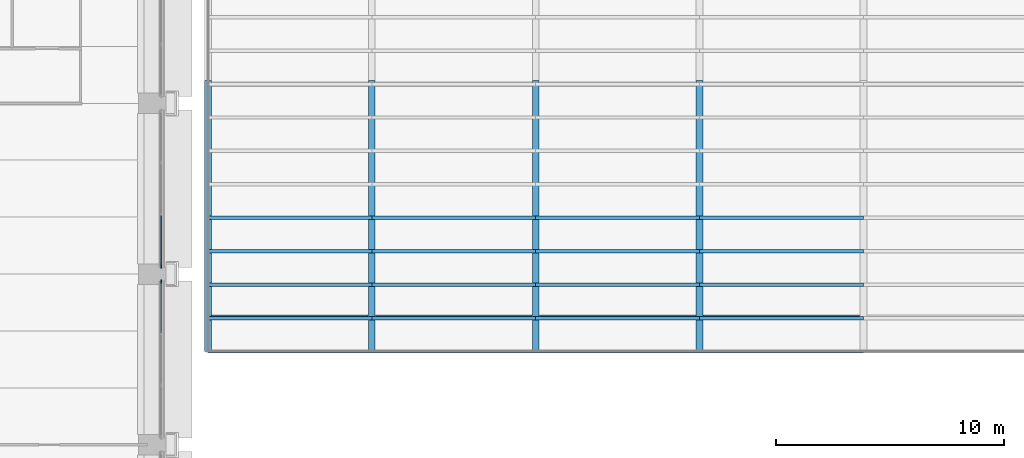
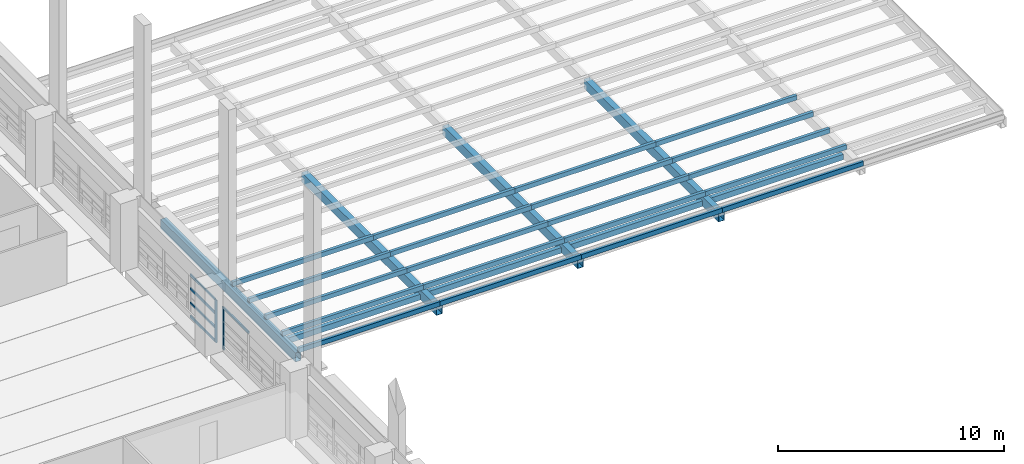
# One storey, part 10 of 67: 27 members, 8 beams, 2 elements without a shape of their own.
"""IFC4 building model written with IfcOpenShell, lengths in metres."""

from ifc_helpers import new_model, si_unit, direction, frame, origin, origin_2d, place, context, subcontext, project, spatial, rectangle, hollow_rectangle, extrude, material, layer, layer_set, material_profile, profile_set, type_object, element, aggregate, save


model = new_model("IFC4")

# Units and contexts
model_context = context("Model", 3, precision=1e-05, world=origin(), true_north=direction((0.0, 1.0)))
body_context = subcontext(model_context, "Body", "Model", "MODEL_VIEW")
ifc_project = project(units=[si_unit("LENGTHUNIT", "METRE"), si_unit("AREAUNIT", "SQUARE_METRE"), si_unit("VOLUMEUNIT", "CUBIC_METRE"), si_unit("PLANEANGLEUNIT", "RADIAN"), si_unit("MASSUNIT", "GRAM", prefix="KILO")], contexts=[model_context])

# Site, building, storey
site_placement = place(None, origin())
site = spatial("IfcSite", under=ifc_project, at=site_placement, CompositionType="ELEMENT")
building_placement = place(site_placement, origin())
building = spatial("IfcBuilding", under=site, at=building_placement, Name="Cour d'Honneur Mobility Palace", CompositionType="ELEMENT")
storey_placement = place(building_placement, frame((0.0, 0.0, 4.5)))
storey = spatial("IfcBuildingStorey", under=building, at=storey_placement, Name="L01", CompositionType="ELEMENT", Elevation=4.5)

# Beams
ifc_material_1 = material(Name="Steel S355", Category="steel")
ifc_material_profile_1 = material_profile(ifc_material_1, hollow_rectangle(XDim=0.300048828125, YDim=0.5, WallThickness=0.01611328125, at=origin_2d()), Name="RHS 500x300x16")
ifc_profile_set_1 = profile_set([ifc_material_profile_1], Name="Steel S355")
beam_type_1 = type_object("IfcBeamType", Name="Canopy main beam RHS 500x300x16", PredefinedType="BEAM", material=ifc_profile_set_1)
for number, where, z_axis, x_axis, name in (
    (1, (20.0, 89.0, 0.75), (0.0, 1.0, 0.0), (-1.0, 0.0, 0.0), "Canopy main beam FCM-W1.1"),
    (2, (27.199951171875, 89.0, 0.75), (0.0, 1.0, 0.0), (-1.0, 0.0, 0.0), "Canopy main beam FCM-W2.1"),
    (3, (34.39990234375, 89.0, 0.75), (0.0, 1.0, 0.0), (-1.0, 0.0, 0.0), "Canopy main beam FCM-W3.1"),
    (4, (41.60009765625, 89.0, 0.75), (0.0, 1.0, 0.0), (-1.0, 0.0, 0.0), "Canopy main beam FCM-W4.1"),
):
    element("IfcBeam", number, at=place(storey_placement, frame(where, z_axis=z_axis, x_axis=x_axis)), inside=storey, type_object=beam_type_1, Name=name, PredefinedType="BEAM", context=body_context, shape_type="SweptSolid", body=[
        extrude(hollow_rectangle(XDim=0.300048828125, YDim=0.5, WallThickness=0.01611328125, at=origin_2d()), origin(), (0.0, 0.0, 1.0), 11.911865234375),
    ])

# Members
ifc_material_2 = material(Name="Steel S355", Category="steel")
ifc_material_profile_2 = material_profile(ifc_material_2, hollow_rectangle(XDim=0.14990234375, YDim=0.25, WallThickness=0.010009765625, at=origin_2d()), Name="RHS 250x150x10")
ifc_profile_set_2 = profile_set([ifc_material_profile_2], Name="Steel S355")
member_type_1 = type_object("IfcMemberType", Name="Canopy purlin RHS 250x150x10", PredefinedType="PURLIN", material=ifc_profile_set_2)
for number, where, z_axis, x_axis, name in (
    (5, (20.0, 89.0, 1.125), (1.0, 0.0, 0.0), (0.0, 1.0, 0.0), "Canopy purlin FCP-W1.1"),
    (6, (27.199951171875, 89.0, 1.125), (1.0, 0.0, 0.0), (0.0, 1.0, 0.0), "Canopy purlin FCP-W1.2"),
):
    element("IfcMember", number, at=place(storey_placement, frame(where, z_axis=z_axis, x_axis=x_axis)), inside=storey, type_object=member_type_1, Name=name, PredefinedType="PURLIN", context=body_context, shape_type="SweptSolid", body=[
        extrude(hollow_rectangle(XDim=0.14990234375, YDim=0.25, WallThickness=0.010009765625, at=origin_2d()), origin(), (0.0, 0.0, 1.0), 7.199951171875),
    ])
member_1_placement = place(storey_placement, frame((34.39990234375, 89.0, 1.125), z_axis=(1.0, 0.0, 0.0), x_axis=(0.0, 1.0, 0.0)))
element("IfcMember", 7, at=member_1_placement, inside=storey, type_object=member_type_1, Name="Canopy purlin FCP-W1.3", PredefinedType="PURLIN", context=body_context, shape_type="SweptSolid", body=[
    extrude(hollow_rectangle(XDim=0.14990234375, YDim=0.25, WallThickness=0.010009765625, at=origin_2d()), origin(), (0.0, 0.0, 1.0), 7.2001953125),
])
for number, where, z_axis, x_axis, name in (
    (8, (41.60009765625, 89.0, 1.125), (1.0, 0.0, 0.0), (0.0, 1.0, 0.0), "Canopy purlin FCP-W1.4"),
    (9, (20.0, 90.46875, 1.125), (1.0, 0.0, 0.0), (0.0, 1.0, 0.0), "Canopy purlin FCP-W2.1"),
    (10, (27.199951171875, 90.46875, 1.125), (1.0, 0.0, 0.0), (0.0, 1.0, 0.0), "Canopy purlin FCP-W2.2"),
):
    element("IfcMember", number, at=place(storey_placement, frame(where, z_axis=z_axis, x_axis=x_axis)), inside=storey, type_object=member_type_1, Name=name, PredefinedType="PURLIN", context=body_context, shape_type="SweptSolid", body=[
        extrude(hollow_rectangle(XDim=0.14990234375, YDim=0.25, WallThickness=0.010009765625, at=origin_2d()), origin(), (0.0, 0.0, 1.0), 7.199951171875),
    ])
member_2_placement = place(storey_placement, frame((34.39990234375, 90.46875, 1.125), z_axis=(1.0, 0.0, 0.0), x_axis=(0.0, 1.0, 0.0)))
element("IfcMember", 11, at=member_2_placement, inside=storey, type_object=member_type_1, Name="Canopy purlin FCP-W2.3", PredefinedType="PURLIN", context=body_context, shape_type="SweptSolid", body=[
    extrude(hollow_rectangle(XDim=0.14990234375, YDim=0.25, WallThickness=0.010009765625, at=origin_2d()), origin(), (0.0, 0.0, 1.0), 7.2001953125),
])
for number, where, z_axis, x_axis, name in (
    (12, (41.60009765625, 90.46875, 1.125), (1.0, 0.0, 0.0), (0.0, 1.0, 0.0), "Canopy purlin FCP-W2.4"),
    (13, (20.0, 91.9375, 1.125), (1.0, 0.0, 0.0), (0.0, 1.0, 0.0), "Canopy purlin FCP-W3.1"),
    (14, (27.199951171875, 91.9375, 1.125), (1.0, 0.0, 0.0), (0.0, 1.0, 0.0), "Canopy purlin FCP-W3.2"),
):
    element("IfcMember", number, at=place(storey_placement, frame(where, z_axis=z_axis, x_axis=x_axis)), inside=storey, type_object=member_type_1, Name=name, PredefinedType="PURLIN", context=body_context, shape_type="SweptSolid", body=[
        extrude(hollow_rectangle(XDim=0.14990234375, YDim=0.25, WallThickness=0.010009765625, at=origin_2d()), origin(), (0.0, 0.0, 1.0), 7.199951171875),
    ])
member_3_placement = place(storey_placement, frame((34.39990234375, 91.9375, 1.125), z_axis=(1.0, 0.0, 0.0), x_axis=(0.0, 1.0, 0.0)))
element("IfcMember", 15, at=member_3_placement, inside=storey, type_object=member_type_1, Name="Canopy purlin FCP-W3.3", PredefinedType="PURLIN", context=body_context, shape_type="SweptSolid", body=[
    extrude(hollow_rectangle(XDim=0.14990234375, YDim=0.25, WallThickness=0.010009765625, at=origin_2d()), origin(), (0.0, 0.0, 1.0), 7.2001953125),
])
for number, where, z_axis, x_axis, name in (
    (16, (41.60009765625, 91.9375, 1.125), (1.0, 0.0, 0.0), (0.0, 1.0, 0.0), "Canopy purlin FCP-W3.4"),
    (17, (20.0, 93.40625, 1.125), (1.0, 0.0, 0.0), (0.0, 1.0, 0.0), "Canopy purlin FCP-W4.1"),
    (18, (27.199951171875, 93.40625, 1.125), (1.0, 0.0, 0.0), (0.0, 1.0, 0.0), "Canopy purlin FCP-W4.2"),
):
    element("IfcMember", number, at=place(storey_placement, frame(where, z_axis=z_axis, x_axis=x_axis)), inside=storey, type_object=member_type_1, Name=name, PredefinedType="PURLIN", context=body_context, shape_type="SweptSolid", body=[
        extrude(hollow_rectangle(XDim=0.14990234375, YDim=0.25, WallThickness=0.010009765625, at=origin_2d()), origin(), (0.0, 0.0, 1.0), 7.199951171875),
    ])
member_4_placement = place(storey_placement, frame((34.39990234375, 93.40625, 1.125), z_axis=(1.0, 0.0, 0.0), x_axis=(0.0, 1.0, 0.0)))
element("IfcMember", 19, at=member_4_placement, inside=storey, type_object=member_type_1, Name="Canopy purlin FCP-W4.3", PredefinedType="PURLIN", context=body_context, shape_type="SweptSolid", body=[
    extrude(hollow_rectangle(XDim=0.14990234375, YDim=0.25, WallThickness=0.010009765625, at=origin_2d()), origin(), (0.0, 0.0, 1.0), 7.2001953125),
])
for number, where, z_axis, x_axis, name in (
    (20, (41.60009765625, 93.40625, 1.125), (1.0, 0.0, 0.0), (0.0, 1.0, 0.0), "Canopy purlin FCP-W4.4"),
    (21, (20.0, 94.875, 1.125), (1.0, 0.0, 0.0), (0.0, 1.0, 0.0), "Canopy purlin FCP-W5.1"),
    (22, (27.199951171875, 94.875, 1.125), (1.0, 0.0, 0.0), (0.0, 1.0, 0.0), "Canopy purlin FCP-W5.2"),
):
    element("IfcMember", number, at=place(storey_placement, frame(where, z_axis=z_axis, x_axis=x_axis)), inside=storey, type_object=member_type_1, Name=name, PredefinedType="PURLIN", context=body_context, shape_type="SweptSolid", body=[
        extrude(hollow_rectangle(XDim=0.14990234375, YDim=0.25, WallThickness=0.010009765625, at=origin_2d()), origin(), (0.0, 0.0, 1.0), 7.199951171875),
    ])
member_5_placement = place(storey_placement, frame((34.39990234375, 94.875, 1.125), z_axis=(1.0, 0.0, 0.0), x_axis=(0.0, 1.0, 0.0)))
element("IfcMember", 23, at=member_5_placement, inside=storey, type_object=member_type_1, Name="Canopy purlin FCP-W5.3", PredefinedType="PURLIN", context=body_context, shape_type="SweptSolid", body=[
    extrude(hollow_rectangle(XDim=0.14990234375, YDim=0.25, WallThickness=0.010009765625, at=origin_2d()), origin(), (0.0, 0.0, 1.0), 7.2001953125),
])
member_6_placement = place(storey_placement, frame((41.60009765625, 94.875, 1.125), z_axis=(1.0, 0.0, 0.0), x_axis=(0.0, 1.0, 0.0)))
element("IfcMember", 24, at=member_6_placement, inside=storey, type_object=member_type_1, Name="Canopy purlin FCP-W5.4", PredefinedType="PURLIN", context=body_context, shape_type="SweptSolid", body=[
    extrude(hollow_rectangle(XDim=0.14990234375, YDim=0.25, WallThickness=0.010009765625, at=origin_2d()), origin(), (0.0, 0.0, 1.0), 7.199951171875),
])

# Beams
ifc_material_3 = material(Name="Steel S355", Category="steel")
ifc_material_profile_3 = material_profile(ifc_material_3, hollow_rectangle(XDim=0.199951171875, YDim=0.300048828125, WallThickness=0.012451171875, at=origin_2d()), Name="RHS 300x200x12.5")
ifc_profile_set_3 = profile_set([ifc_material_profile_3], Name="Steel S355")
beam_type_2 = type_object("IfcBeamType", Name="Canopy tie beam RHS 300x200x12.5", PredefinedType="BEAM", material=ifc_profile_set_3)
beam_placement = place(storey_placement, frame((20.161865234375, 90.5, 0.64990234375), z_axis=(1.0, 0.0, 0.0), x_axis=(0.0, 1.0, 0.0)))
element("IfcBeam", 25, at=beam_placement, inside=storey, type_object=beam_type_2, Name="Canopy tie beam FCT-W1.1", PredefinedType="BEAM", context=body_context, shape_type="SweptSolid", body=[
    extrude(hollow_rectangle(XDim=0.199951171875, YDim=0.300048828125, WallThickness=0.012451171875, at=origin_2d()), origin(), (0.0, 0.0, 1.0), 6.876220703125),
])
for number, where, z_axis, x_axis, name in (
    (26, (27.362060546875, 90.5, 0.64990234375), (1.0, 0.0, 0.0), (0.0, 1.0, 0.0), "Canopy tie beam FCT-W1.2"),
    (27, (34.56201171875, 90.5, 0.64990234375), (1.0, 0.0, 0.0), (0.0, 1.0, 0.0), "Canopy tie beam FCT-W1.3"),
    (28, (41.761962890625, 90.5, 0.64990234375), (1.0, 0.0, 0.0), (0.0, 1.0, 0.0), "Canopy tie beam FCT-W1.4"),
):
    element("IfcBeam", number, at=place(storey_placement, frame(where, z_axis=z_axis, x_axis=x_axis)), inside=storey, type_object=beam_type_2, Name=name, PredefinedType="BEAM", context=body_context, shape_type="SweptSolid", body=[
        extrude(hollow_rectangle(XDim=0.199951171875, YDim=0.300048828125, WallThickness=0.012451171875, at=origin_2d()), origin(), (0.0, 0.0, 1.0), 6.8759765625),
    ])

# Curtain wall, member
ifc_material_4 = material(Name="Aluminium and glass", Category="aluminium")
ifc_layer = layer(ifc_material_4, 0.10009765625)
ifc_layer_set = layer_set([ifc_layer], Name="Aluminium and glass")
curtain_wall_type = type_object("IfcCurtainWallType", Name="Curtain wall run", PredefinedType="NOTDEFINED", material=ifc_layer_set)
curtain_wall_1_placement = place(storey_placement, origin())
curtain_wall_1 = element("IfcCurtainWall", 29, at=curtain_wall_1_placement, inside=storey, type_object=curtain_wall_type, Name="Curtain wall CW-19", PredefinedType="NOTDEFINED")
ifc_material_5 = material(Name="Aluminium", Category="aluminium")
ifc_material_profile_4 = material_profile(ifc_material_5, rectangle(XDim=0.06005859375, YDim=0.159912109375, at=origin_2d()), Name="Curtain wall mullion")
ifc_profile_set_4 = profile_set([ifc_material_profile_4], Name="Aluminium")
member_type_2 = type_object("IfcMemberType", Name="Curtain wall mullion", PredefinedType="MULLION", material=ifc_profile_set_4)
member_7_placement = place(storey_placement, frame((17.949951171875, 92.070068359375, 0.0), z_axis=(0.0, 0.0, 1.0), x_axis=(-1.0, 0.0, 0.0)))
member_7 = element("IfcMember", 30, at=member_7_placement, type_object=member_type_2, Name="CW-19 mullion 4", PredefinedType="MULLION", context=body_context, shape_type="SweptSolid", body=[
    extrude(rectangle(XDim=0.06005859375, YDim=0.159912109375, at=origin_2d()), origin(), (0.0, 0.0, 1.0), 2.300048828125),
])

curtain_wall_2_placement = place(storey_placement, origin())
curtain_wall_2 = element("IfcCurtainWall", 31, at=curtain_wall_2_placement, inside=storey, type_object=curtain_wall_type, Name="Curtain wall CW-20", PredefinedType="NOTDEFINED")
member_8_placement = place(storey_placement, frame((17.949951171875, 92.72998046875, 0.0), z_axis=(0.0, 0.0, 1.0), x_axis=(-1.0, 0.0, 0.0)))
member_8 = element("IfcMember", 32, at=member_8_placement, type_object=member_type_2, Name="CW-20 mullion 1", PredefinedType="MULLION", context=body_context, shape_type="SweptSolid", body=[
    extrude(rectangle(XDim=0.06005859375, YDim=0.159912109375, at=origin_2d()), origin(), (0.0, 0.0, 1.0), 2.300048828125),
])

# Member
ifc_material_6 = material(Name="Aluminium", Category="aluminium")
ifc_material_profile_5 = material_profile(ifc_material_6, rectangle(XDim=0.06005859375, YDim=0.1201171875, at=origin_2d()), Name="Curtain wall transom")
ifc_profile_set_5 = profile_set([ifc_material_profile_5], Name="Aluminium")
member_type_3 = type_object("IfcMemberType", Name="Curtain wall transom", PredefinedType="USERDEFINED", material=ifc_profile_set_5)
member_9_placement = place(storey_placement, frame((17.949951171875, 89.830078125, 2.27001953125), z_axis=(0.0, 1.0, 0.0), x_axis=(-1.0, 0.0, 0.0)))
member_9 = element("IfcMember", 33, at=member_9_placement, type_object=member_type_3, Name="CW-19 transom 3.4", ObjectType="TRANSOM", PredefinedType="USERDEFINED", context=body_context, shape_type="SweptSolid", body=[
    extrude(rectangle(XDim=0.06005859375, YDim=0.1201171875, at=origin_2d()), origin(), (0.0, 0.0, 1.0), 2.2099609375),
])

aggregate(curtain_wall_1, [member_7, member_9])

member_10_placement = place(storey_placement, frame((17.949951171875, 92.760009765625, 0.030029296875), z_axis=(0.0, 1.0, 0.0), x_axis=(-1.0, 0.0, 0.0)))
member_10 = element("IfcMember", 34, at=member_10_placement, type_object=member_type_3, Name="CW-20 transom 1.1", ObjectType="TRANSOM", PredefinedType="USERDEFINED", context=body_context, shape_type="SweptSolid", body=[
    extrude(rectangle(XDim=0.06005859375, YDim=0.1201171875, at=origin_2d()), origin(), (0.0, 0.0, 1.0), 2.2099609375),
])

member_11_placement = place(storey_placement, frame((17.949951171875, 92.760009765625, 0.7666015625), z_axis=(0.0, 1.0, 0.0), x_axis=(-1.0, 0.0, 0.0)))
member_11 = element("IfcMember", 35, at=member_11_placement, type_object=member_type_3, Name="CW-20 transom 1.2", ObjectType="TRANSOM", PredefinedType="USERDEFINED", context=body_context, shape_type="SweptSolid", body=[
    extrude(rectangle(XDim=0.06005859375, YDim=0.1201171875, at=origin_2d()), origin(), (0.0, 0.0, 1.0), 2.2099609375),
])

member_12_placement = place(storey_placement, frame((17.949951171875, 92.760009765625, 1.533447265625), z_axis=(0.0, 1.0, 0.0), x_axis=(-1.0, 0.0, 0.0)))
member_12 = element("IfcMember", 36, at=member_12_placement, type_object=member_type_3, Name="CW-20 transom 1.3", ObjectType="TRANSOM", PredefinedType="USERDEFINED", context=body_context, shape_type="SweptSolid", body=[
    extrude(rectangle(XDim=0.06005859375, YDim=0.1201171875, at=origin_2d()), origin(), (0.0, 0.0, 1.0), 2.2099609375),
])

member_13_placement = place(storey_placement, frame((17.949951171875, 92.760009765625, 2.27001953125), z_axis=(0.0, 1.0, 0.0), x_axis=(-1.0, 0.0, 0.0)))
member_13 = element("IfcMember", 37, at=member_13_placement, type_object=member_type_3, Name="CW-20 transom 1.4", ObjectType="TRANSOM", PredefinedType="USERDEFINED", context=body_context, shape_type="SweptSolid", body=[
    extrude(rectangle(XDim=0.06005859375, YDim=0.1201171875, at=origin_2d()), origin(), (0.0, 0.0, 1.0), 2.2099609375),
])

aggregate(curtain_wall_2, [member_8, member_10, member_11, member_12, member_13])

save(model, "model.ifc")
